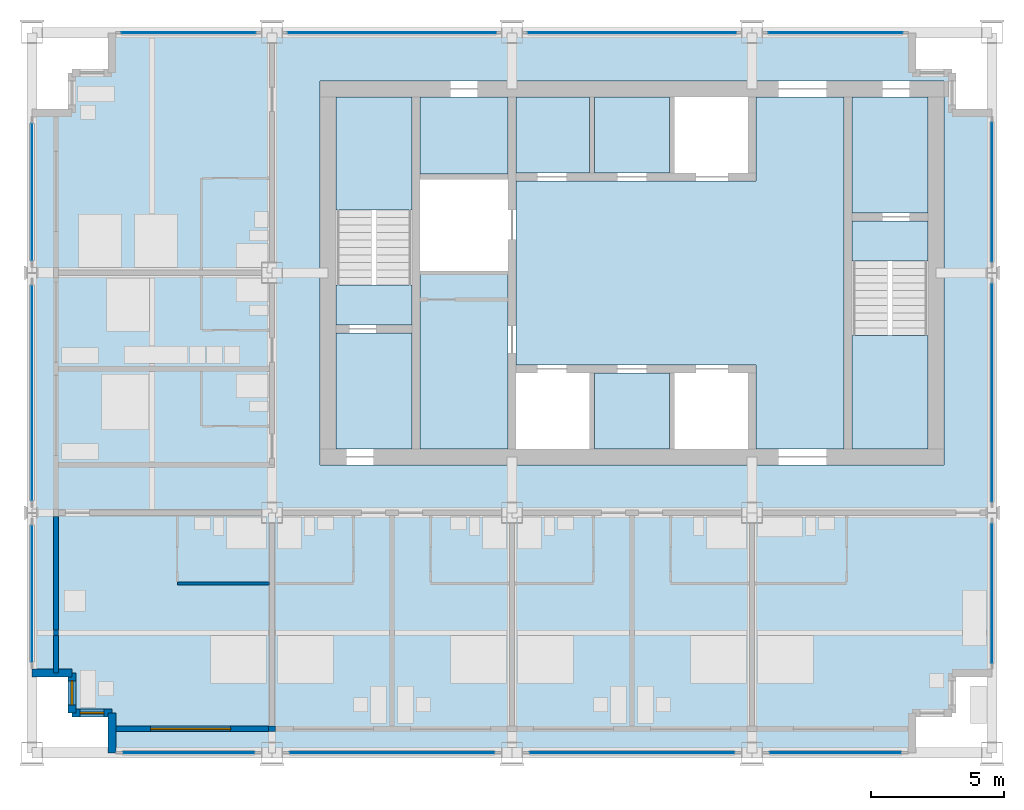
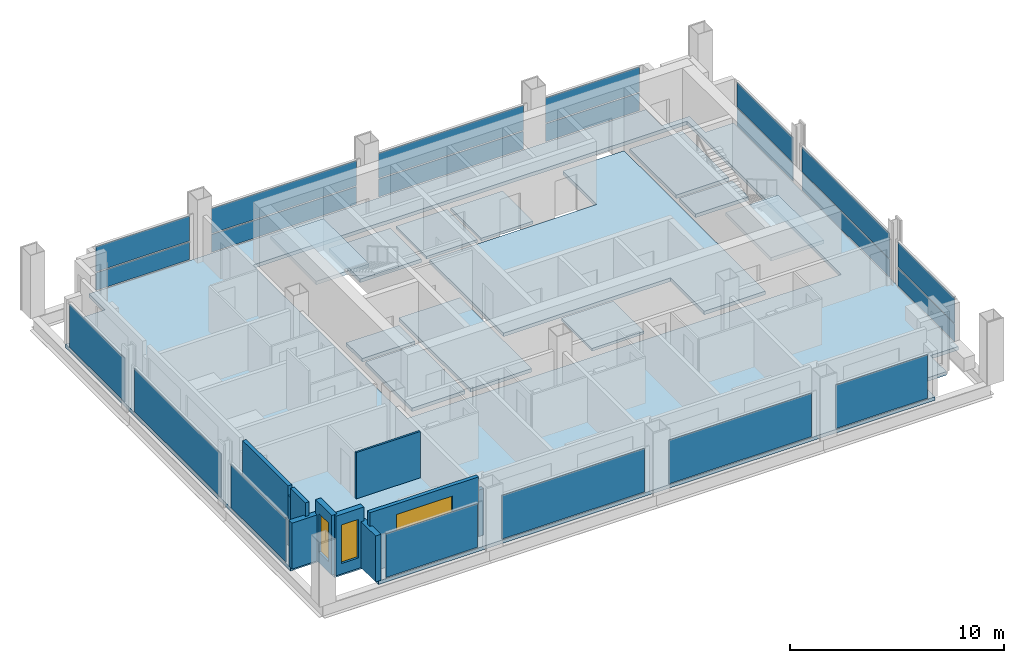
# One storey, part 5 of 12: 21 plates, 13 slabs, 10 walls, 3 windows, 3 openings, 16 elements without a shape of their own.
"""IFC4 building model written with IfcOpenShell, lengths in metres."""

from ifc_helpers import new_model, si_unit, direction, frame, frame_2d, origin, origin_2d, place, context, subcontext, project, spatial, polyline, rectangle, outline, extrude, material, layer, layer_set, type_object, element, fill, aggregate, save


model = new_model("IFC4")

# Units and contexts
model_context = context("Model", 3, precision=1e-05, world=origin(), true_north=direction((0.0, 1.0)))
body_context = subcontext(model_context, "Body", "Model", "MODEL_VIEW")
ifc_project = project(units=[si_unit("LENGTHUNIT", "METRE"), si_unit("AREAUNIT", "SQUARE_METRE"), si_unit("VOLUMEUNIT", "CUBIC_METRE"), si_unit("PLANEANGLEUNIT", "RADIAN"), si_unit("MASSUNIT", "GRAM", prefix="KILO")], contexts=[model_context])

# Site, building, storey
site_placement = place(None, origin())
site = spatial("IfcSite", under=ifc_project, at=site_placement, CompositionType="ELEMENT")
building_placement = place(site_placement, origin())
building = spatial("IfcBuilding", under=site, at=building_placement, Name="Loomwork Tower", CompositionType="ELEMENT")
storey_placement = place(building_placement, frame((0.0, 0.0, 255.39990234375)))
storey = spatial("IfcBuildingStorey", under=building, at=storey_placement, Name="L70", CompositionType="ELEMENT", Elevation=255.39990234375)

# Slabs
ifc_material_1 = material(Name="Concrete 5000 psi (34 MPa) on composite metal deck", Category="concrete")
ifc_layer_1 = layer(ifc_material_1, 0.199951171875)
ifc_layer_set_1 = layer_set([ifc_layer_1], Name="Floor slab 200")
slab_type_1 = type_object("IfcSlabType", Name="Floor slab 200", PredefinedType="FLOOR", material=ifc_layer_set_1)
slab_1_placement = place(storey_placement, frame((0.0, 0.0, -0.199951171875)))
element("IfcSlab", 1, at=slab_1_placement, inside=storey, type_object=slab_type_1, Name="Floor slab L70", PredefinedType="FLOOR", context=body_context, shape_type="SweptSolid", body=[
    extrude(outline(polyline([(3.0, 1.5), (1.5, 1.5), (1.5, 3.0), (0.0, 3.0), (0.0, 24.0), (1.5, 24.0), (1.5, 25.5), (3.0, 25.5), (3.0, 27.0), (33.0, 27.0), (33.0, 25.5), (34.5, 25.5), (34.5, 24.0), (36.0, 24.0), (36.0, 3.0), (34.5, 3.0), (34.5, 1.5), (33.0, 1.5), (33.0, 0.0), (3.0, 0.0), (3.0, 1.5)]), holes=[polyline([(10.800048828125, 11.39990234375), (10.800048828125, 11.39990234375), (10.800048828125, 10.800048828125), (34.199951171875, 10.800048828125), (34.199951171875, 11.39990234375), (34.199951171875, 11.39990234375), (34.199951171875, 24.60009765625), (34.199951171875, 25.199951171875), (10.800048828125, 25.199951171875), (10.800048828125, 24.60009765625), (10.800048828125, 11.39990234375)])]), origin(), (0.0, 0.0, 1.0), 0.199951171875),
])
slab_2_placement = place(storey_placement, frame((0.0, 0.0, -0.199951171875)))
element("IfcSlab", 2, at=slab_2_placement, inside=storey, type_object=slab_type_1, Name="Floor slab L70", PredefinedType="FLOOR", context=body_context, shape_type="SweptSolid", body=[
    extrude(outline(polyline([(30.449951171875, 24.60009765625), (30.449951171875, 11.39990234375), (27.14990234375, 11.39990234375), (27.14990234375, 14.25), (27.14990234375, 14.550048828125), (18.14990234375, 14.550048828125), (18.14990234375, 21.449951171875), (27.14990234375, 21.449951171875), (27.14990234375, 21.75), (27.14990234375, 24.60009765625), (30.449951171875, 24.60009765625)])), origin(), (0.0, 0.0, 1.0), 0.199951171875),
])
slab_3_placement = place(storey_placement, frame((0.0, 0.0, -0.199951171875)))
element("IfcSlab", 3, at=slab_3_placement, inside=storey, type_object=slab_type_1, Name="Floor slab L70", PredefinedType="FLOOR", context=body_context, shape_type="SweptSolid", body=[
    extrude(outline(polyline([(14.550048828125, 11.39990234375), (14.550048828125, 18.074951171875), (17.85009765625, 18.074951171875), (17.85009765625, 11.39990234375), (14.550048828125, 11.39990234375)])), origin(), (0.0, 0.0, 1.0), 0.199951171875),
])
slab_4_placement = place(storey_placement, frame((0.0, 0.0, -0.199951171875)))
element("IfcSlab", 4, at=slab_4_placement, inside=storey, type_object=slab_type_1, Name="Floor slab L70", PredefinedType="FLOOR", context=body_context, shape_type="SweptSolid", body=[
    extrude(outline(polyline([(33.60009765625, 20.25), (30.75, 20.25), (30.75, 24.60009765625), (33.60009765625, 24.60009765625), (33.60009765625, 20.25)])), origin(), (0.0, 0.0, 1.0), 0.199951171875),
])
slab_5_placement = place(storey_placement, frame((0.0, 0.0, -0.199951171875)))
element("IfcSlab", 5, at=slab_5_placement, inside=storey, type_object=slab_type_1, Name="Floor slab L70", PredefinedType="FLOOR", context=body_context, shape_type="SweptSolid", body=[
    extrude(outline(polyline([(14.25, 15.75), (14.25, 11.39990234375), (11.39990234375, 11.39990234375), (11.39990234375, 15.75), (14.25, 15.75)])), origin(), (0.0, 0.0, 1.0), 0.199951171875),
])
slab_6_placement = place(storey_placement, frame((0.0, 0.0, -0.199951171875)))
element("IfcSlab", 6, at=slab_6_placement, inside=storey, type_object=slab_type_1, Name="Floor slab L70", PredefinedType="FLOOR", context=body_context, shape_type="SweptSolid", body=[
    extrude(outline(polyline([(14.550048828125, 21.699951171875), (14.550048828125, 24.60009765625), (17.85009765625, 24.60009765625), (17.85009765625, 21.699951171875), (14.550048828125, 21.699951171875)])), origin(), (0.0, 0.0, 1.0), 0.199951171875),
])

# Curtain wall, plate
ifc_material_2 = material(Name="Aluminium curtain wall frame", Category="aluminium")
curtain_wall_type_1 = type_object("IfcCurtainWallType", Name="Outer skin glazing suites", PredefinedType="NOTDEFINED", material=ifc_material_2)
curtain_wall_1_placement = place(storey_placement, origin())
curtain_wall_1 = element("IfcCurtainWall", 7, at=curtain_wall_1_placement, inside=storey, type_object=curtain_wall_type_1, Name="Outer skin glazing suites cw/S-0", PredefinedType="NOTDEFINED")
ifc_material_3 = material(Name="Clear laminated glass", Category="glass")
ifc_layer_2 = layer(ifc_material_3, 0.02392578125)
ifc_layer_set_2 = layer_set([ifc_layer_2], Name="Outer skin glazing suites panel")
plate_type_1 = type_object("IfcPlateType", Name="Outer skin glazing suites panel", PredefinedType="CURTAIN_PANEL", material=ifc_layer_set_2)
plate_1_placement = place(storey_placement, frame((5.875, 0.0, 0.065185546875), z_axis=(0.0, 0.0, 1.0), x_axis=(1.0, 0.0, 0.0)))
plate_1 = element("IfcPlate", 8, at=plate_1_placement, type_object=plate_type_1, Name="CW2 panel 1.1", PredefinedType="CURTAIN_PANEL", context=body_context, shape_type="SweptSolid", body=[
    extrude(rectangle(XDim=4.949951171875, YDim=0.02392578125, at=origin_2d()), origin(), (0.0, 0.0, 1.0), 2.490234375),
])
aggregate(curtain_wall_1, [plate_1])

curtain_wall_2_placement = place(storey_placement, origin())
curtain_wall_2 = element("IfcCurtainWall", 9, at=curtain_wall_2_placement, inside=storey, type_object=curtain_wall_type_1, Name="Outer skin glazing suites cw/S-9", PredefinedType="NOTDEFINED")
plate_2_placement = place(storey_placement, frame((13.5, 0.0, 0.065185546875), z_axis=(0.0, 0.0, 1.0), x_axis=(1.0, 0.0, 0.0)))
plate_2 = element("IfcPlate", 10, at=plate_2_placement, type_object=plate_type_1, Name="CW2 panel 1.1", PredefinedType="CURTAIN_PANEL", context=body_context, shape_type="SweptSolid", body=[
    extrude(rectangle(XDim=7.699951171875, YDim=0.02392578125, at=origin_2d()), origin(), (0.0, 0.0, 1.0), 2.490234375),
])
aggregate(curtain_wall_2, [plate_2])

curtain_wall_3_placement = place(storey_placement, origin())
curtain_wall_3 = element("IfcCurtainWall", 11, at=curtain_wall_3_placement, inside=storey, type_object=curtain_wall_type_1, Name="Outer skin glazing suites cw/S-18", PredefinedType="NOTDEFINED")
plate_3_placement = place(storey_placement, frame((22.5, 0.0, 0.065185546875), z_axis=(0.0, 0.0, 1.0), x_axis=(1.0, 0.0, 0.0)))
plate_3 = element("IfcPlate", 12, at=plate_3_placement, type_object=plate_type_1, Name="CW2 panel 1.1", PredefinedType="CURTAIN_PANEL", context=body_context, shape_type="SweptSolid", body=[
    extrude(rectangle(XDim=7.699951171875, YDim=0.02392578125, at=origin_2d()), origin(), (0.0, 0.0, 1.0), 2.490234375),
])
aggregate(curtain_wall_3, [plate_3])

curtain_wall_4_placement = place(storey_placement, origin())
curtain_wall_4 = element("IfcCurtainWall", 13, at=curtain_wall_4_placement, inside=storey, type_object=curtain_wall_type_1, Name="Outer skin glazing suites cw/S-27", PredefinedType="NOTDEFINED")
plate_4_placement = place(storey_placement, frame((30.125, 0.0, 0.065185546875), z_axis=(0.0, 0.0, 1.0), x_axis=(1.0, 0.0, 0.0)))
plate_4 = element("IfcPlate", 14, at=plate_4_placement, type_object=plate_type_1, Name="CW2 panel 1.1", PredefinedType="CURTAIN_PANEL", context=body_context, shape_type="SweptSolid", body=[
    extrude(rectangle(XDim=4.949951171875, YDim=0.02392578125, at=origin_2d()), origin(), (0.0, 0.0, 1.0), 2.490234375),
])
aggregate(curtain_wall_4, [plate_4])

curtain_wall_5_placement = place(storey_placement, origin())
curtain_wall_5 = element("IfcCurtainWall", 15, at=curtain_wall_5_placement, inside=storey, type_object=curtain_wall_type_1, Name="Outer skin glazing suites cw/W-0", PredefinedType="NOTDEFINED")
plate_5_placement = place(storey_placement, frame((0.0, 5.970947265625, 0.065185546875), z_axis=(0.0, 0.0, 1.0), x_axis=(0.0, -1.0, 0.0)))
plate_5 = element("IfcPlate", 16, at=plate_5_placement, type_object=plate_type_1, Name="CW2 panel 1.1", PredefinedType="CURTAIN_PANEL", context=body_context, shape_type="SweptSolid", body=[
    extrude(rectangle(XDim=5.1416015625, YDim=0.02392578125, at=origin_2d()), origin(), (0.0, 0.0, 1.0), 2.490234375),
])
aggregate(curtain_wall_5, [plate_5])

curtain_wall_6_placement = place(storey_placement, origin())
curtain_wall_6 = element("IfcCurtainWall", 17, at=curtain_wall_6_placement, inside=storey, type_object=curtain_wall_type_1, Name="Outer skin glazing suites cw/W-9", PredefinedType="NOTDEFINED")
plate_6_placement = place(storey_placement, frame((0.0, 13.5, 0.065185546875), z_axis=(0.0, 0.0, 1.0), x_axis=(0.0, -1.0, 0.0)))
plate_6 = element("IfcPlate", 18, at=plate_6_placement, type_object=plate_type_1, Name="CW2 panel 1.1", PredefinedType="CURTAIN_PANEL", context=body_context, shape_type="SweptSolid", body=[
    extrude(rectangle(XDim=8.08349609375, YDim=0.02392578125, at=origin_2d()), origin(), (0.0, 0.0, 1.0), 2.490234375),
])
aggregate(curtain_wall_6, [plate_6])

curtain_wall_7_placement = place(storey_placement, origin())
curtain_wall_7 = element("IfcCurtainWall", 19, at=curtain_wall_7_placement, inside=storey, type_object=curtain_wall_type_1, Name="Outer skin glazing suites cw/W-18", PredefinedType="NOTDEFINED")
plate_7_placement = place(storey_placement, frame((0.0, 21.029052734375, 0.065185546875), z_axis=(0.0, 0.0, 1.0), x_axis=(0.0, -1.0, 0.0)))
plate_7 = element("IfcPlate", 20, at=plate_7_placement, type_object=plate_type_1, Name="CW2 panel 1.1", PredefinedType="CURTAIN_PANEL", context=body_context, shape_type="SweptSolid", body=[
    extrude(rectangle(XDim=5.1416015625, YDim=0.02392578125, at=origin_2d()), origin(), (0.0, 0.0, 1.0), 2.490234375),
])
aggregate(curtain_wall_7, [plate_7])

# Slabs
ifc_material_4 = material(Name="Concrete 5000 psi (34 MPa) on composite metal deck", Category="concrete")
ifc_layer_3 = layer(ifc_material_4, 0.14990234375)
ifc_layer_set_3 = layer_set([ifc_layer_3], Name="Shaft infill floor 150")
slab_type_2 = type_object("IfcSlabType", Name="Shaft infill floor 150", PredefinedType="FLOOR", material=ifc_layer_set_3)
slab_7_placement = place(storey_placement, frame((0.0, 0.0, -0.14990234375)))
element("IfcSlab", 21, at=slab_7_placement, inside=storey, type_object=slab_type_2, Name="Shaft infill floor LS1 L70", PredefinedType="FLOOR", context=body_context, shape_type="SweptSolid", body=[
    extrude(outline(polyline([(18.14990234375, 21.75), (20.89990234375, 21.75), (20.89990234375, 24.60009765625), (18.14990234375, 24.60009765625), (18.14990234375, 21.75)])), origin(), (0.0, 0.0, 1.0), 0.14990234375),
])
slab_8_placement = place(storey_placement, frame((0.0, 0.0, -0.14990234375)))
element("IfcSlab", 22, at=slab_8_placement, inside=storey, type_object=slab_type_2, Name="Shaft infill floor LS2 L70", PredefinedType="FLOOR", context=body_context, shape_type="SweptSolid", body=[
    extrude(outline(polyline([(21.10009765625, 21.75), (23.89990234375, 21.75), (23.89990234375, 24.60009765625), (21.10009765625, 24.60009765625), (21.10009765625, 21.75)])), origin(), (0.0, 0.0, 1.0), 0.14990234375),
])
slab_9_placement = place(storey_placement, frame((0.0, 0.0, -0.14990234375)))
element("IfcSlab", 23, at=slab_9_placement, inside=storey, type_object=slab_type_2, Name="Shaft infill floor S2 L70", PredefinedType="FLOOR", context=body_context, shape_type="SweptSolid", body=[
    extrude(outline(polyline([(21.10009765625, 11.39990234375), (23.89990234375, 11.39990234375), (23.89990234375, 14.25), (21.10009765625, 14.25), (21.10009765625, 11.39990234375)])), origin(), (0.0, 0.0, 1.0), 0.14990234375),
])

# Curtain wall, plates
ifc_material_5 = material(Name="Aluminium curtain wall frame", Category="aluminium")
curtain_wall_type_2 = type_object("IfcCurtainWallType", Name="Single skin glazing corridor", PredefinedType="NOTDEFINED", material=ifc_material_5)
curtain_wall_8_placement = place(storey_placement, origin())
curtain_wall_8 = element("IfcCurtainWall", 24, at=curtain_wall_8_placement, inside=storey, type_object=curtain_wall_type_2, Name="Single skin glazing corridor cw/N-0", PredefinedType="NOTDEFINED")
ifc_material_6 = material(Name="Clear insulated glass", Category="glass")
ifc_layer_4 = layer(ifc_material_6, 0.031982421875)
ifc_layer_set_4 = layer_set([ifc_layer_4], Name="Single skin glazing corridor panel")
plate_type_2 = type_object("IfcPlateType", Name="Single skin glazing corridor panel", PredefinedType="CURTAIN_PANEL", material=ifc_layer_set_4)
plate_8_placement = place(storey_placement, frame((5.875, 27.0, 0.065185546875), z_axis=(0.0, 0.0, 1.0), x_axis=(-1.0, 0.0, 0.0)))
plate_8 = element("IfcPlate", 25, at=plate_8_placement, type_object=plate_type_2, Name="CW3 panel 1.1", PredefinedType="CURTAIN_PANEL", context=body_context, shape_type="SweptSolid", body=[
    extrude(rectangle(XDim=5.050048828125, YDim=0.031982421875, at=origin_2d()), origin(), (0.0, 0.0, 1.0), 1.00244140625),
])
plate_9_placement = place(storey_placement, frame((5.875, 27.0, 1.1328125), z_axis=(0.0, 0.0, 1.0), x_axis=(-1.0, 0.0, 0.0)))
plate_9 = element("IfcPlate", 26, at=plate_9_placement, type_object=plate_type_2, Name="CW3 panel 1.2", PredefinedType="CURTAIN_PANEL", context=body_context, shape_type="SweptSolid", body=[
    extrude(rectangle(XDim=5.050048828125, YDim=0.031982421875, at=origin_2d()), origin(), (0.0, 0.0, 1.0), 1.422607421875),
])
aggregate(curtain_wall_8, [plate_8, plate_9])

curtain_wall_9_placement = place(storey_placement, origin())
curtain_wall_9 = element("IfcCurtainWall", 27, at=curtain_wall_9_placement, inside=storey, type_object=curtain_wall_type_2, Name="Single skin glazing corridor cw/N-9", PredefinedType="NOTDEFINED")
plate_10_placement = place(storey_placement, frame((13.5, 27.0, 0.065185546875), z_axis=(0.0, 0.0, 1.0), x_axis=(-1.0, 0.0, 0.0)))
plate_10 = element("IfcPlate", 28, at=plate_10_placement, type_object=plate_type_2, Name="CW3 panel 1.1", PredefinedType="CURTAIN_PANEL", context=body_context, shape_type="SweptSolid", body=[
    extrude(rectangle(XDim=7.800048828125, YDim=0.031982421875, at=origin_2d()), origin(), (0.0, 0.0, 1.0), 1.00244140625),
])
plate_11_placement = place(storey_placement, frame((13.5, 27.0, 1.1328125), z_axis=(0.0, 0.0, 1.0), x_axis=(-1.0, 0.0, 0.0)))
plate_11 = element("IfcPlate", 29, at=plate_11_placement, type_object=plate_type_2, Name="CW3 panel 1.2", PredefinedType="CURTAIN_PANEL", context=body_context, shape_type="SweptSolid", body=[
    extrude(rectangle(XDim=7.800048828125, YDim=0.031982421875, at=origin_2d()), origin(), (0.0, 0.0, 1.0), 1.422607421875),
])
aggregate(curtain_wall_9, [plate_10, plate_11])

curtain_wall_10_placement = place(storey_placement, origin())
curtain_wall_10 = element("IfcCurtainWall", 30, at=curtain_wall_10_placement, inside=storey, type_object=curtain_wall_type_2, Name="Single skin glazing corridor cw/N-18", PredefinedType="NOTDEFINED")
plate_12_placement = place(storey_placement, frame((22.5, 27.0, 0.065185546875), z_axis=(0.0, 0.0, 1.0), x_axis=(-1.0, 0.0, 0.0)))
plate_12 = element("IfcPlate", 31, at=plate_12_placement, type_object=plate_type_2, Name="CW3 panel 1.1", PredefinedType="CURTAIN_PANEL", context=body_context, shape_type="SweptSolid", body=[
    extrude(rectangle(XDim=7.800048828125, YDim=0.031982421875, at=origin_2d()), origin(), (0.0, 0.0, 1.0), 1.00244140625),
])
plate_13_placement = place(storey_placement, frame((22.5, 27.0, 1.1328125), z_axis=(0.0, 0.0, 1.0), x_axis=(-1.0, 0.0, 0.0)))
plate_13 = element("IfcPlate", 32, at=plate_13_placement, type_object=plate_type_2, Name="CW3 panel 1.2", PredefinedType="CURTAIN_PANEL", context=body_context, shape_type="SweptSolid", body=[
    extrude(rectangle(XDim=7.800048828125, YDim=0.031982421875, at=origin_2d()), origin(), (0.0, 0.0, 1.0), 1.422607421875),
])
aggregate(curtain_wall_10, [plate_12, plate_13])

curtain_wall_11_placement = place(storey_placement, origin())
curtain_wall_11 = element("IfcCurtainWall", 33, at=curtain_wall_11_placement, inside=storey, type_object=curtain_wall_type_2, Name="Single skin glazing corridor cw/N-27", PredefinedType="NOTDEFINED")
plate_14_placement = place(storey_placement, frame((30.125, 27.0, 0.065185546875), z_axis=(0.0, 0.0, 1.0), x_axis=(-1.0, 0.0, 0.0)))
plate_14 = element("IfcPlate", 34, at=plate_14_placement, type_object=plate_type_2, Name="CW3 panel 1.1", PredefinedType="CURTAIN_PANEL", context=body_context, shape_type="SweptSolid", body=[
    extrude(rectangle(XDim=5.050048828125, YDim=0.031982421875, at=origin_2d()), origin(), (0.0, 0.0, 1.0), 1.00244140625),
])
plate_15_placement = place(storey_placement, frame((30.125, 27.0, 1.1328125), z_axis=(0.0, 0.0, 1.0), x_axis=(-1.0, 0.0, 0.0)))
plate_15 = element("IfcPlate", 35, at=plate_15_placement, type_object=plate_type_2, Name="CW3 panel 1.2", PredefinedType="CURTAIN_PANEL", context=body_context, shape_type="SweptSolid", body=[
    extrude(rectangle(XDim=5.050048828125, YDim=0.031982421875, at=origin_2d()), origin(), (0.0, 0.0, 1.0), 1.422607421875),
])
aggregate(curtain_wall_11, [plate_14, plate_15])

curtain_wall_12_placement = place(storey_placement, origin())
curtain_wall_12 = element("IfcCurtainWall", 36, at=curtain_wall_12_placement, inside=storey, type_object=curtain_wall_type_2, Name="Single skin glazing corridor cw/E-0", PredefinedType="NOTDEFINED")
plate_16_placement = place(storey_placement, frame((36.0, 5.970947265625, 0.065185546875), z_axis=(0.0, 0.0, 1.0), x_axis=(0.0, 1.0, 0.0)))
plate_16 = element("IfcPlate", 37, at=plate_16_placement, type_object=plate_type_2, Name="CW3 panel 1.1", PredefinedType="CURTAIN_PANEL", context=body_context, shape_type="SweptSolid", body=[
    extrude(rectangle(XDim=5.24169921875, YDim=0.031982421875, at=origin_2d()), origin(), (0.0, 0.0, 1.0), 1.00244140625),
])
plate_17_placement = place(storey_placement, frame((36.0, 5.970947265625, 1.1328125), z_axis=(0.0, 0.0, 1.0), x_axis=(0.0, 1.0, 0.0)))
plate_17 = element("IfcPlate", 38, at=plate_17_placement, type_object=plate_type_2, Name="CW3 panel 1.2", PredefinedType="CURTAIN_PANEL", context=body_context, shape_type="SweptSolid", body=[
    extrude(rectangle(XDim=5.24169921875, YDim=0.031982421875, at=origin_2d()), origin(), (0.0, 0.0, 1.0), 1.422607421875),
])
aggregate(curtain_wall_12, [plate_16, plate_17])

curtain_wall_13_placement = place(storey_placement, origin())
curtain_wall_13 = element("IfcCurtainWall", 39, at=curtain_wall_13_placement, inside=storey, type_object=curtain_wall_type_2, Name="Single skin glazing corridor cw/E-9", PredefinedType="NOTDEFINED")
plate_18_placement = place(storey_placement, frame((36.0, 13.5, 0.065185546875), z_axis=(0.0, 0.0, 1.0), x_axis=(0.0, 1.0, 0.0)))
plate_18 = element("IfcPlate", 40, at=plate_18_placement, type_object=plate_type_2, Name="CW3 panel 1.1", PredefinedType="CURTAIN_PANEL", context=body_context, shape_type="SweptSolid", body=[
    extrude(rectangle(XDim=8.183349609375, YDim=0.031982421875, at=origin_2d()), origin(), (0.0, 0.0, 1.0), 1.00244140625),
])
plate_19_placement = place(storey_placement, frame((36.0, 13.5, 1.1328125), z_axis=(0.0, 0.0, 1.0), x_axis=(0.0, 1.0, 0.0)))
plate_19 = element("IfcPlate", 41, at=plate_19_placement, type_object=plate_type_2, Name="CW3 panel 1.2", PredefinedType="CURTAIN_PANEL", context=body_context, shape_type="SweptSolid", body=[
    extrude(rectangle(XDim=8.183349609375, YDim=0.031982421875, at=origin_2d()), origin(), (0.0, 0.0, 1.0), 1.422607421875),
])
aggregate(curtain_wall_13, [plate_18, plate_19])

curtain_wall_14_placement = place(storey_placement, origin())
curtain_wall_14 = element("IfcCurtainWall", 42, at=curtain_wall_14_placement, inside=storey, type_object=curtain_wall_type_2, Name="Single skin glazing corridor cw/E-18", PredefinedType="NOTDEFINED")
plate_20_placement = place(storey_placement, frame((36.0, 21.029052734375, 0.065185546875), z_axis=(0.0, 0.0, 1.0), x_axis=(0.0, 1.0, 0.0)))
plate_20 = element("IfcPlate", 43, at=plate_20_placement, type_object=plate_type_2, Name="CW3 panel 1.1", PredefinedType="CURTAIN_PANEL", context=body_context, shape_type="SweptSolid", body=[
    extrude(rectangle(XDim=5.24169921875, YDim=0.031982421875, at=origin_2d()), origin(), (0.0, 0.0, 1.0), 1.00244140625),
])
plate_21_placement = place(storey_placement, frame((36.0, 21.029052734375, 1.1328125), z_axis=(0.0, 0.0, 1.0), x_axis=(0.0, 1.0, 0.0)))
plate_21 = element("IfcPlate", 44, at=plate_21_placement, type_object=plate_type_2, Name="CW3 panel 1.2", PredefinedType="CURTAIN_PANEL", context=body_context, shape_type="SweptSolid", body=[
    extrude(rectangle(XDim=5.24169921875, YDim=0.031982421875, at=origin_2d()), origin(), (0.0, 0.0, 1.0), 1.422607421875),
])
aggregate(curtain_wall_14, [plate_20, plate_21])

# Stair, slabs
ifc_material_7 = material(Name="Concrete 5000 psi (34 MPa) precast stair", Category="concrete")
stair_type_1 = type_object("IfcStairType", Name="Stair ST-A 22 risers 2850 wide", PredefinedType="HALF_TURN_STAIR", material=ifc_material_7)
stair_1_placement = place(storey_placement, origin())
stair_1 = element("IfcStair", 45, at=stair_1_placement, inside=storey, type_object=stair_type_1, Name="Stair A L70", PredefinedType="HALF_TURN_STAIR")
ifc_material_8 = material(Name="Concrete 5000 psi (34 MPa)", Category="concrete")
ifc_layer_5 = layer(ifc_material_8, 0.199951171875)
ifc_layer_set_5 = layer_set([ifc_layer_5], Name="Stair landing 200")
slab_type_3 = type_object("IfcSlabType", Name="Stair landing 200", PredefinedType="LANDING", material=ifc_layer_set_5)
slab_10_placement = place(storey_placement, frame((0.0, 0.0, -0.199951171875)))
slab_10 = element("IfcSlab", 46, at=slab_10_placement, type_object=slab_type_3, Name="ST-A landing 1", PredefinedType="LANDING", context=body_context, shape_type="SweptSolid", body=[
    extrude(outline(polyline([(11.39990234375, 16.050048828125), (14.25, 16.050048828125), (14.25, 17.550048828125), (11.39990234375, 17.550048828125), (11.39990234375, 16.050048828125)])), origin(), (0.0, 0.0, 1.0), 0.199951171875),
])
slab_11_placement = place(storey_placement, frame((0.0, 0.0, 1.60009765625)))
slab_11 = element("IfcSlab", 47, at=slab_11_placement, type_object=slab_type_3, Name="ST-A landing 2", PredefinedType="LANDING", context=body_context, shape_type="SweptSolid", body=[
    extrude(outline(polyline([(11.39990234375, 20.35009765625), (14.25, 20.35009765625), (14.25, 24.60009765625), (11.39990234375, 24.60009765625), (11.39990234375, 20.35009765625)])), origin(), (0.0, 0.0, 1.0), 0.199951171875),
])
aggregate(stair_1, [slab_10, slab_11])

ifc_material_9 = material(Name="Concrete 5000 psi (34 MPa) precast stair", Category="concrete")
stair_type_2 = type_object("IfcStairType", Name="Stair ST-B 22 risers 2850 wide", PredefinedType="HALF_TURN_STAIR", material=ifc_material_9)
stair_2_placement = place(storey_placement, origin())
stair_2 = element("IfcStair", 48, at=stair_2_placement, inside=storey, type_object=stair_type_2, Name="Stair B L70", PredefinedType="HALF_TURN_STAIR")
slab_12_placement = place(storey_placement, frame((0.0, 0.0, -0.199951171875)))
slab_12 = element("IfcSlab", 49, at=slab_12_placement, type_object=slab_type_3, Name="ST-B landing 1", PredefinedType="LANDING", context=body_context, shape_type="SweptSolid", body=[
    extrude(outline(polyline([(30.75, 18.449951171875), (33.60009765625, 18.449951171875), (33.60009765625, 19.949951171875), (30.75, 19.949951171875), (30.75, 18.449951171875)])), origin(), (0.0, 0.0, 1.0), 0.199951171875),
])
slab_13_placement = place(storey_placement, frame((0.0, 0.0, 1.60009765625)))
slab_13 = element("IfcSlab", 50, at=slab_13_placement, type_object=slab_type_3, Name="ST-B landing 2", PredefinedType="LANDING", context=body_context, shape_type="SweptSolid", body=[
    extrude(outline(polyline([(30.75, 11.39990234375), (33.60009765625, 11.39990234375), (33.60009765625, 15.64990234375), (30.75, 15.64990234375), (30.75, 11.39990234375)])), origin(), (0.0, 0.0, 1.0), 0.199951171875),
])
aggregate(stair_2, [slab_12, slab_13])

# Wall
ifc_material_10 = material(Name="Cement board on steel studs", Category="steel")
ifc_layer_6 = layer(ifc_material_10, 0.10009765625)
ifc_layer_set_6 = layer_set([ifc_layer_6], Name="En-suite partition 100")
wall_type_1 = type_object("IfcWallType", Name="En-suite partition 100", PredefinedType="PARTITIONING", material=ifc_layer_set_6)
wall_1_placement = place(storey_placement, frame((5.449951171875, 6.35009765625, 0.0), z_axis=(0.0, 0.0, 1.0), x_axis=(1.0, 0.0, 0.0)))
element("IfcWall", 51, at=wall_1_placement, inside=storey, type_object=wall_type_1, Name="En-suite wall L70 room 1", PredefinedType="PARTITIONING", context=body_context, shape_type="SweptSolid", body=[
    extrude(rectangle(XDim=3.449951171875, YDim=0.10009765625, at=frame_2d((1.72509765625, 0.0))), origin(), (0.0, 0.0, 1.0), 2.63818359375),
])

# Wall, opening, window
ifc_material_11 = material(Name="Insulated steel stud wall with gypsum lining", Category="steel")
ifc_layer_7 = layer(ifc_material_11, 0.199951171875)
ifc_layer_set_7 = layer_set([ifc_layer_7], Name="Inner skin wall 200")
wall_type_2 = type_object("IfcWallType", Name="Inner skin wall 200", PredefinedType="SOLIDWALL", material=ifc_layer_set_7)
wall_2_placement = place(storey_placement, frame((3.0, 0.89990234375, 0.0), z_axis=(0.0, 0.0, 1.0), x_axis=(1.0, 0.0, 0.0)))
wall_2 = element("IfcWall", 52, at=wall_2_placement, inside=storey, type_object=wall_type_2, Name="Inner skin wall S", PredefinedType="SOLIDWALL", context=body_context, shape_type="SweptSolid", body=[
    extrude(rectangle(XDim=5.86474609375, YDim=0.199951171875, at=frame_2d((2.932373046875, 0.0))), origin(), (0.0, 0.0, 1.0), 3.400146484375),
])
opening_1_placement = place(wall_2_placement, frame((1.449951171875, 0.0, 0.60009765625)))
opening_1 = element("IfcOpeningElement", 53, at=opening_1_placement, cuts=wall_2, Name="Opening CH1", PredefinedType="OPENING", context=body_context, shape_type="SweptSolid", body=[
    extrude(rectangle(XDim=3.0, YDim=2.199951171875, at=frame_2d((1.5, 1.10009765625))), frame((0.0, 0.10986328125, 0.0), z_axis=(0.0, -1.0, 0.0), x_axis=(1.0, 0.0, 0.0)), (0.0, 0.0, 1.0), 0.219970703125),
])
ifc_material_12 = material(Name="Aluminium frame with clear insulated glass", Category="aluminium")
window_type_1 = type_object("IfcWindowType", Name="Chicago window 3000", PartitioningType="TRIPLE_PANEL_VERTICAL", PredefinedType="WINDOW", material=ifc_material_12)
window_1_placement = place(opening_1_placement, origin())
window_1 = element("IfcWindow", 54, at=window_1_placement, inside=storey, type_object=window_type_1, Name="Chicago window L70 bay 1", OverallHeight=2.199951171875, OverallWidth=3.0, PartitioningType="TRIPLE_PANEL_VERTICAL", PredefinedType="WINDOW", context=body_context, shape_type="SweptSolid", body=[
    extrude(rectangle(XDim=3.0, YDim=2.199951171875, at=frame_2d((1.5, 1.10009765625))), frame((0.0, 0.030029296875, 0.0), z_axis=(0.0, -1.0, 0.0), x_axis=(1.0, 0.0, 0.0)), (0.0, 0.0, 1.0), 0.06005859375),
])
fill(opening_1, window_1)

# Walls
wall_3_placement = place(storey_placement, frame((0.89990234375, 3.0, 0.0), z_axis=(0.0, 0.0, 1.0), x_axis=(0.0, 1.0, 0.0)))
element("IfcWall", 55, at=wall_3_placement, inside=storey, type_object=wall_type_2, Name="Inner skin wall W", PredefinedType="SOLIDWALL", context=body_context, shape_type="SweptSolid", body=[
    extrude(rectangle(XDim=1.392578125, YDim=0.199951171875, at=frame_2d((0.6962890625, 0.0))), origin(), (0.0, 0.0, 1.0), 3.400146484375),
])
wall_4_placement = place(storey_placement, frame((8.86474609375, 0.89990234375, 0.0), z_axis=(0.0, 0.0, 1.0), x_axis=(1.0, 0.0, 0.0)))
element("IfcWall", 56, at=wall_4_placement, inside=storey, type_object=wall_type_2, Name="Inner skin wall S bay 2", PredefinedType="SOLIDWALL", context=body_context, shape_type="SweptSolid", body=[
    extrude(rectangle(XDim=0.2705078125, YDim=0.199951171875, at=frame_2d((0.13525390625, 0.0))), origin(), (0.0, 0.0, 1.0), 2.63818359375),
])
wall_5_placement = place(storey_placement, frame((0.89990234375, 4.392578125, 0.0), z_axis=(0.0, 0.0, 1.0), x_axis=(0.0, 1.0, 0.0)))
element("IfcWall", 57, at=wall_5_placement, inside=storey, type_object=wall_type_2, Name="Inner skin wall W bay 2", PredefinedType="SOLIDWALL", context=body_context, shape_type="SweptSolid", body=[
    extrude(rectangle(XDim=0.21484375, YDim=0.199951171875, at=frame_2d((0.107421875, 0.0))), origin(), (0.0, 0.0, 1.0), 2.861083984375),
])
wall_6_placement = place(storey_placement, frame((0.89990234375, 4.607421875, 0.0), z_axis=(0.0, 0.0, 1.0), x_axis=(0.0, 1.0, 0.0)))
element("IfcWall", 58, at=wall_6_placement, inside=storey, type_object=wall_type_2, Name="Inner skin wall W bay 3", PredefinedType="SOLIDWALL", context=body_context, shape_type="SweptSolid", body=[
    extrude(rectangle(XDim=4.25732421875, YDim=0.199951171875, at=frame_2d((2.128662109375, 0.0))), origin(), (0.0, 0.0, 1.0), 3.400146484375),
])
ifc_material_13 = material(Name="Limestone on concrete masonry", Category="masonry")
ifc_layer_8 = layer(ifc_material_13, 0.300048828125)
ifc_layer_set_8 = layer_set([ifc_layer_8], Name="Limestone corner wall 300")
wall_type_3 = type_object("IfcWallType", Name="Limestone corner wall 300", PredefinedType="SOLIDWALL", material=ifc_layer_set_8)
wall_7_placement = place(storey_placement, frame((0.0, 3.0, 0.0), z_axis=(0.0, 0.0, 1.0), x_axis=(1.0, 0.0, 0.0)))
element("IfcWall", 59, at=wall_7_placement, inside=storey, type_object=wall_type_3, Name="Stone corner wall SW 1", PredefinedType="SOLIDWALL", context=body_context, shape_type="SweptSolid", body=[
    extrude(rectangle(XDim=1.5, YDim=0.300048828125, at=frame_2d((0.75, 0.0))), origin(), (0.0, 0.0, 1.0), 2.6201171875),
])

# Wall, opening, window
wall_8_placement = place(storey_placement, frame((1.5, 3.0, 0.0), z_axis=(0.0, 0.0, 1.0), x_axis=(0.0, -1.0, 0.0)))
wall_8 = element("IfcWall", 60, at=wall_8_placement, inside=storey, type_object=wall_type_3, Name="Stone corner wall SW 2", PredefinedType="SOLIDWALL", context=body_context, shape_type="SweptSolid", body=[
    extrude(rectangle(XDim=1.5, YDim=0.300048828125, at=frame_2d((0.75, 0.0))), origin(), (0.0, 0.0, 1.0), 3.400146484375),
])
opening_2_placement = place(wall_8_placement, frame((0.300048828125, 0.0, 0.60009765625)))
opening_2 = element("IfcOpeningElement", 61, at=opening_2_placement, cuts=wall_8, Name="Opening CH2", PredefinedType="OPENING", context=body_context, shape_type="SweptSolid", body=[
    extrude(rectangle(XDim=0.89990234375, YDim=2.199951171875, at=frame_2d((0.449951171875, 1.10009765625))), frame((0.0, 0.159912109375, 0.0), z_axis=(0.0, -1.0, 0.0), x_axis=(1.0, 0.0, 0.0)), (0.0, 0.0, 1.0), 0.320068359375),
])
ifc_material_14 = material(Name="Aluminium frame with clear insulated glass", Category="aluminium")
window_type_2 = type_object("IfcWindowType", Name="Corner window 900", PartitioningType="SINGLE_PANEL", PredefinedType="WINDOW", material=ifc_material_14)
window_2_placement = place(opening_2_placement, origin())
window_2 = element("IfcWindow", 62, at=window_2_placement, inside=storey, type_object=window_type_2, Name="Corner window SW", OverallHeight=2.199951171875, OverallWidth=0.89990234375, PartitioningType="SINGLE_PANEL", PredefinedType="WINDOW", context=body_context, shape_type="SweptSolid", body=[
    extrude(rectangle(XDim=0.89990234375, YDim=2.199951171875, at=frame_2d((0.449951171875, 1.10009765625))), frame((0.0, 0.030029296875, 0.0), z_axis=(0.0, -1.0, 0.0), x_axis=(1.0, 0.0, 0.0)), (0.0, 0.0, 1.0), 0.06005859375),
])
fill(opening_2, window_2)

wall_9_placement = place(storey_placement, frame((1.5, 1.5, 0.0), z_axis=(0.0, 0.0, 1.0), x_axis=(1.0, 0.0, 0.0)))
wall_9 = element("IfcWall", 63, at=wall_9_placement, inside=storey, type_object=wall_type_3, Name="Stone corner wall SW 3", PredefinedType="SOLIDWALL", context=body_context, shape_type="SweptSolid", body=[
    extrude(rectangle(XDim=1.5, YDim=0.300048828125, at=frame_2d((0.75, 0.0))), origin(), (0.0, 0.0, 1.0), 3.400146484375),
])
opening_3_placement = place(wall_9_placement, frame((0.300048828125, 0.0, 0.60009765625)))
opening_3 = element("IfcOpeningElement", 64, at=opening_3_placement, cuts=wall_9, Name="Opening CH2", PredefinedType="OPENING", context=body_context, shape_type="SweptSolid", body=[
    extrude(rectangle(XDim=0.89990234375, YDim=2.199951171875, at=frame_2d((0.449951171875, 1.10009765625))), frame((0.0, 0.159912109375, 0.0), z_axis=(0.0, -1.0, 0.0), x_axis=(1.0, 0.0, 0.0)), (0.0, 0.0, 1.0), 0.320068359375),
])
window_3_placement = place(opening_3_placement, origin())
window_3 = element("IfcWindow", 65, at=window_3_placement, inside=storey, type_object=window_type_2, Name="Corner window SW", OverallHeight=2.199951171875, OverallWidth=0.89990234375, PartitioningType="SINGLE_PANEL", PredefinedType="WINDOW", context=body_context, shape_type="SweptSolid", body=[
    extrude(rectangle(XDim=0.89990234375, YDim=2.199951171875, at=frame_2d((0.449951171875, 1.10009765625))), frame((0.0, 0.030029296875, 0.0), z_axis=(0.0, -1.0, 0.0), x_axis=(1.0, 0.0, 0.0)), (0.0, 0.0, 1.0), 0.06005859375),
])
fill(opening_3, window_3)

# Wall
wall_10_placement = place(storey_placement, frame((3.0, 1.5, 0.0), z_axis=(0.0, 0.0, 1.0), x_axis=(0.0, -1.0, 0.0)))
element("IfcWall", 66, at=wall_10_placement, inside=storey, type_object=wall_type_3, Name="Stone corner wall SW 4", PredefinedType="SOLIDWALL", context=body_context, shape_type="SweptSolid", body=[
    extrude(rectangle(XDim=1.5, YDim=0.300048828125, at=frame_2d((0.75, 0.0))), origin(), (0.0, 0.0, 1.0), 2.6201171875),
])

save(model, "model.ifc")
